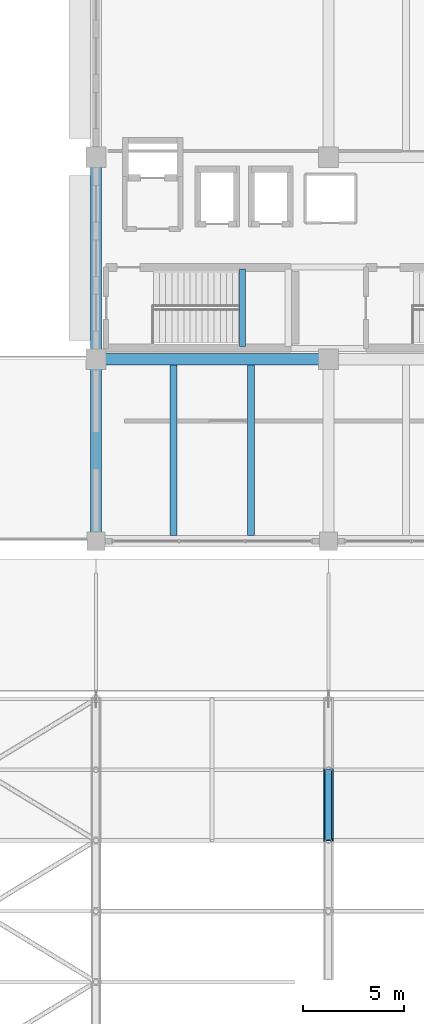
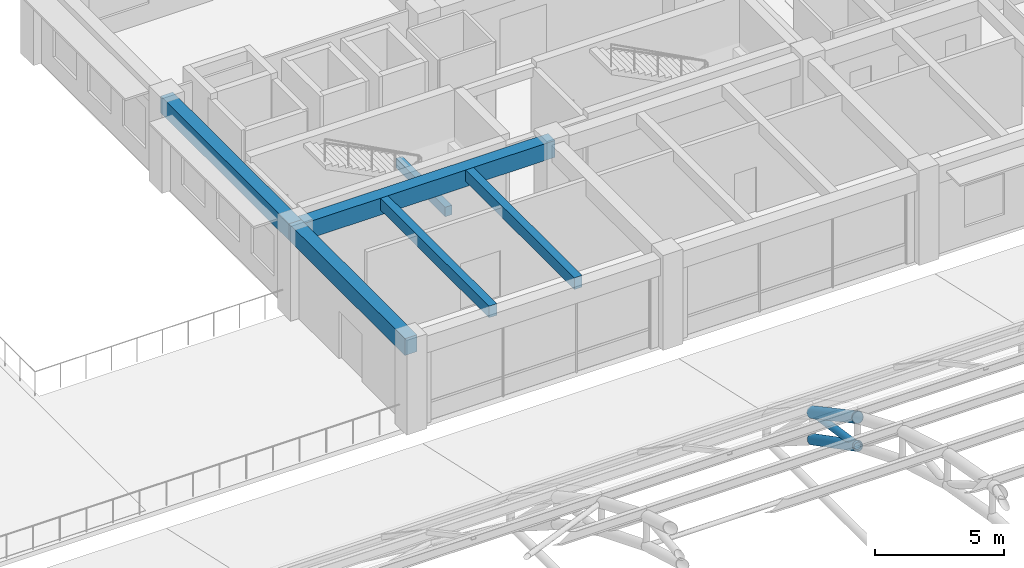
# One storey, part 68 of 154: 6 beams, 3 members.
"""IFC4 building model written with IfcOpenShell, lengths in metres."""

from ifc_helpers import new_model, si_unit, direction, frame, origin, origin_2d, place, context, subcontext, project, spatial, rectangle, hollow_circle, extrude, material, material_profile, profile_set, type_object, element, save


model = new_model("IFC4")

# Units and contexts
model_context = context("Model", 3, precision=1e-05, world=origin(), true_north=direction((0.0, 1.0)))
body_context = subcontext(model_context, "Body", "Model", "MODEL_VIEW")
ifc_project = project(units=[si_unit("LENGTHUNIT", "METRE"), si_unit("AREAUNIT", "SQUARE_METRE"), si_unit("VOLUMEUNIT", "CUBIC_METRE"), si_unit("PLANEANGLEUNIT", "RADIAN"), si_unit("MASSUNIT", "GRAM", prefix="KILO")], contexts=[model_context])

# Site, building, storey
site_placement = place(None, origin())
site = spatial("IfcSite", under=ifc_project, at=site_placement, CompositionType="ELEMENT")
building_placement = place(site_placement, origin())
building = spatial("IfcBuilding", under=site, at=building_placement, Name="Ologun Quay Terminus", CompositionType="ELEMENT")
storey_placement = place(building_placement, frame((0.0, 0.0, 13.800048828125)))
storey = spatial("IfcBuildingStorey", under=building, at=storey_placement, Name="L03", CompositionType="ELEMENT", Elevation=13.800048828125)

# Member
ifc_material_1 = material(Name="Steel S355", Category="steel")
ifc_material_profile_1 = material_profile(ifc_material_1, hollow_circle(Radius=0.161865234375, WallThickness=0.010009765625, at=origin_2d()), Name="CHS 323.9x10")
ifc_profile_set_1 = profile_set([ifc_material_profile_1], Name="Steel S355")
member_type_1 = type_object("IfcMemberType", Name="Arch Truss Web Diagonal CHS323", PredefinedType="BRACE", material=ifc_profile_set_1)
member_1_placement = place(storey_placement, frame((34.5, 71.0, 4.022216796875), z_axis=(0.0, 0.988960627525, -0.148178531524), x_axis=(-1.0, 0.0, 0.0)))
element("IfcMember", 1, at=member_1_placement, inside=storey, type_object=member_type_1, Name="AW1 Arch Web Diagonal 4-P11", PredefinedType="BRACE", context=body_context, shape_type="SweptSolid", body=[
    extrude(hollow_circle(Radius=0.161865234375, WallThickness=0.010009765625, at=origin_2d()), origin(), (0.0, 0.0, 1.0), 3.5390625),
])

# Beams
ifc_material_2 = material(Name="Concrete C40/50", Category="concrete")
ifc_material_profile_2 = material_profile(ifc_material_2, rectangle(XDim=0.300048828125, YDim=0.449951171875, at=origin_2d()), Name="RC 300x450")
ifc_profile_set_2 = profile_set([ifc_material_profile_2], Name="Concrete C40/50")
beam_type_1 = type_object("IfcBeamType", Name="Core Coupling Lintel Beam 300x450", PredefinedType="LINTEL", material=ifc_profile_set_2)
beam_1_placement = place(storey_placement, frame((30.239990234375, 95.429931640625, 1.844970703125), z_axis=(0.0, 1.0, 0.0), x_axis=(-1.0, 0.0, 0.0)))
element("IfcBeam", 2, at=beam_1_placement, inside=storey, type_object=beam_type_1, Name="LN1 Half-Landing Ledger Beam ST-W1-W L03", PredefinedType="LINTEL", context=body_context, shape_type="SweptSolid", body=[
    extrude(rectangle(XDim=0.300048828125, YDim=0.449951171875, at=origin_2d()), origin(), (0.0, 0.0, 1.0), 3.840087890625),
])
ifc_material_3 = material(Name="Concrete C40/50", Category="concrete")
ifc_material_profile_3 = material_profile(ifc_material_3, rectangle(XDim=0.550048828125, YDim=0.800048828125, at=origin_2d()), Name="RC 550x800")
ifc_profile_set_3 = profile_set([ifc_material_profile_3], Name="Concrete C40/50")
beam_type_2 = type_object("IfcBeamType", Name="Courtyard Wing Primary Girder 550x800", PredefinedType="BEAM", material=ifc_profile_set_3)
beam_2_placement = place(storey_placement, frame((23.0, 94.800048828125, 3.849853515625), z_axis=(1.0, 0.0, 0.0), x_axis=(0.0, 1.0, 0.0)))
element("IfcBeam", 3, at=beam_2_placement, inside=storey, type_object=beam_type_2, Name="B4 Beam 3/H L03", PredefinedType="BEAM", context=body_context, shape_type="SweptSolid", body=[
    extrude(rectangle(XDim=0.550048828125, YDim=0.800048828125, at=origin_2d()), origin(), (0.0, 0.0, 1.0), 11.5),
])
beam_3_placement = place(storey_placement, frame((23.0, 85.800048828125, 3.849853515625), z_axis=(0.0, 1.0, 0.0), x_axis=(-1.0, 0.0, 0.0)))
element("IfcBeam", 4, at=beam_3_placement, inside=storey, type_object=beam_type_2, Name="B4 Beam 3/G2 L03", PredefinedType="BEAM", context=body_context, shape_type="SweptSolid", body=[
    extrude(rectangle(XDim=0.550048828125, YDim=0.800048828125, at=origin_2d()), origin(), (0.0, 0.0, 1.0), 9.0),
])
beam_4_placement = place(storey_placement, frame((23.0, 94.800048828125, 3.849853515625), z_axis=(0.0, 1.0, 0.0), x_axis=(-1.0, 0.0, 0.0)))
element("IfcBeam", 5, at=beam_4_placement, inside=storey, type_object=beam_type_2, Name="B4 Beam 3/H L03", PredefinedType="BEAM", context=body_context, shape_type="SweptSolid", body=[
    extrude(rectangle(XDim=0.550048828125, YDim=0.800048828125, at=origin_2d()), origin(), (0.0, 0.0, 1.0), 10.0),
])
ifc_material_4 = material(Name="Concrete C40/50", Category="concrete")
ifc_material_profile_4 = material_profile(ifc_material_4, rectangle(XDim=0.35009765625, YDim=0.550048828125, at=origin_2d()), Name="RC 350x550")
ifc_profile_set_4 = profile_set([ifc_material_profile_4], Name="Concrete C40/50")
beam_type_3 = type_object("IfcBeamType", Name="Courtyard Wing Secondary Joist 350x550", PredefinedType="JOIST", material=ifc_profile_set_4)
for number, where, z_axis, x_axis, name in (
    (6, (26.833251953125, 86.074951171875, 3.974853515625), (0.0, 1.0, 0.0), (-1.0, 0.0, 0.0), "J2 Beam 3/G2 L03"),
    (7, (30.666748046875, 86.074951171875, 3.974853515625), (0.0, 1.0, 0.0), (-1.0, 0.0, 0.0), "J2 Beam 3/G2 L03"),
):
    element("IfcBeam", number, at=place(storey_placement, frame(where, z_axis=z_axis, x_axis=x_axis)), inside=storey, type_object=beam_type_3, Name=name, PredefinedType="JOIST", context=body_context, shape_type="SweptSolid", body=[
        extrude(rectangle(XDim=0.35009765625, YDim=0.550048828125, at=origin_2d()), origin(), (0.0, 0.0, 1.0), 8.449951171875),
    ])

# Members
ifc_material_5 = material(Name="Steel S355", Category="steel")
ifc_material_profile_5 = material_profile(ifc_material_5, hollow_circle(Radius=0.228515625, WallThickness=0.01611328125, at=origin_2d()), Name="CHS 457x16")
ifc_profile_set_5 = profile_set([ifc_material_profile_5], Name="Steel S355")
member_type_2 = type_object("IfcMemberType", Name="Parabolic Arch Bottom Chord CHS457", PredefinedType="CHORD", material=ifc_profile_set_5)
member_2_placement = place(storey_placement, frame((34.5, 71.0, 4.022216796875), z_axis=(0.0, 0.888247284083, -0.459365608551), x_axis=(-1.0, 0.0, 0.0)))
element("IfcMember", 8, at=member_2_placement, inside=storey, type_object=member_type_2, Name="AC2 Arch Bottom Chord 4-P11", PredefinedType="CHORD", context=body_context, shape_type="SweptSolid", body=[
    extrude(hollow_circle(Radius=0.228515625, WallThickness=0.01611328125, at=origin_2d()), origin(), (0.0, 0.0, 1.0), 3.9404296875),
])
ifc_material_6 = material(Name="Steel S355", Category="steel")
ifc_material_profile_6 = material_profile(ifc_material_6, hollow_circle(Radius=0.25390625, WallThickness=0.01611328125, at=origin_2d()), Name="CHS 508x16")
ifc_profile_set_6 = profile_set([ifc_material_profile_6], Name="Steel S355")
member_type_3 = type_object("IfcMemberType", Name="Parabolic Arch Top Chord CHS508", PredefinedType="CHORD", material=ifc_profile_set_6)
member_3_placement = place(storey_placement, frame((34.5, 71.0, 5.377685546875), z_axis=(0.0, 0.880967864924, -0.473176099324), x_axis=(-1.0, 0.0, 0.0)))
element("IfcMember", 9, at=member_3_placement, inside=storey, type_object=member_type_3, Name="Arch Top Chord 4-P11", PredefinedType="CHORD", context=body_context, shape_type="SweptSolid", body=[
    extrude(hollow_circle(Radius=0.25390625, WallThickness=0.01611328125, at=origin_2d()), origin(), (0.0, 0.0, 1.0), 3.972900390625),
])

save(model, "model.ifc")
